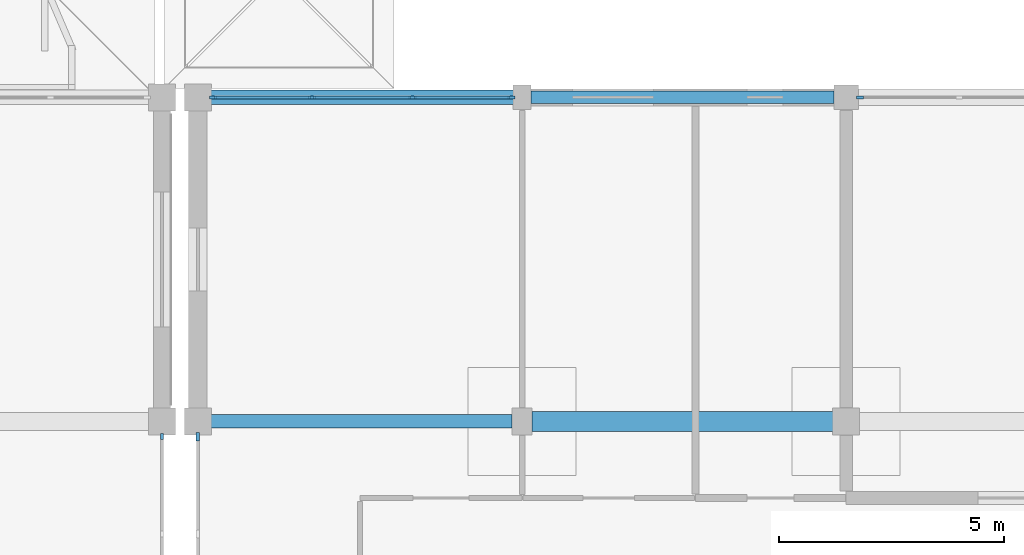
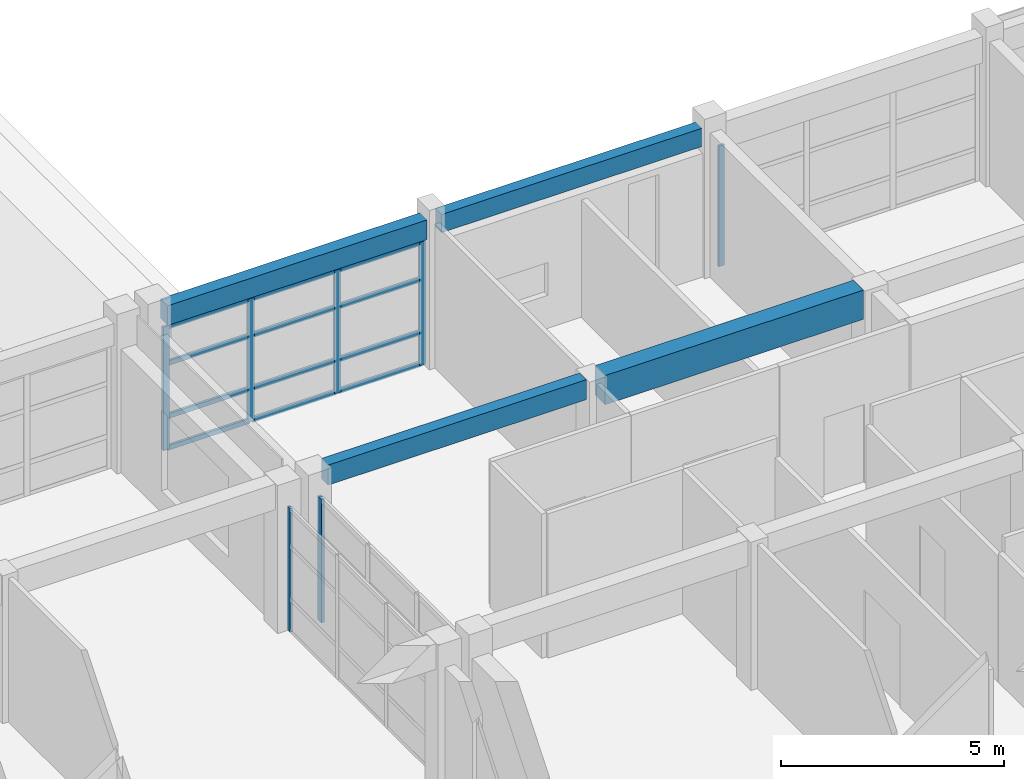
# One storey, part 21 of 110: 19 members, 4 beams, 4 elements without a shape of their own.
"""IFC4 building model written with IfcOpenShell, lengths in metres."""

from ifc_helpers import new_model, si_unit, direction, frame, origin, origin_2d, place, context, subcontext, project, spatial, rectangle, extrude, material, material_profile, profile_set, type_object, element, aggregate, save


model = new_model("IFC4")

# Units and contexts
model_context = context("Model", 3, precision=1e-05, world=origin(), true_north=direction((0.0, 1.0)))
body_context = subcontext(model_context, "Body", "Model", "MODEL_VIEW")
ifc_project = project(units=[si_unit("LENGTHUNIT", "METRE"), si_unit("AREAUNIT", "SQUARE_METRE"), si_unit("VOLUMEUNIT", "CUBIC_METRE"), si_unit("PLANEANGLEUNIT", "RADIAN"), si_unit("MASSUNIT", "GRAM", prefix="KILO")], contexts=[model_context])

# Site, building, storey
site_placement = place(None, origin())
site = spatial("IfcSite", under=ifc_project, at=site_placement, CompositionType="ELEMENT")
building_placement = place(site_placement, origin())
building = spatial("IfcBuilding", under=site, at=building_placement, Name="Steenspoor Specialist Clinic", CompositionType="ELEMENT")
storey_placement = place(building_placement, frame((0.0, 0.0, 4.800048828125)))
storey = spatial("IfcBuildingStorey", under=building, at=storey_placement, Name="L01", CompositionType="ELEMENT", Elevation=4.800048828125)

# Beams
ifc_material_1 = material(Name="Concrete C35/45", Category="concrete")
ifc_material_profile_1 = material_profile(ifc_material_1, rectangle(XDim=0.300048828125, YDim=0.550048828125, at=origin_2d()), Name="RC-BM-300X550")
ifc_profile_set_1 = profile_set([ifc_material_profile_1], Name="Concrete C35/45")
beam_type_1 = type_object("IfcBeamType", Name="BM-RC-300X550", PredefinedType="BEAM", material=ifc_profile_set_1)
beam_1_placement = place(storey_placement, frame((118.294921875, 34.64990234375, 3.760009765625), z_axis=(1.0, 0.0, 0.0), x_axis=(0.0, 1.0, 0.0)))
element("IfcBeam", 1, at=beam_1_placement, inside=storey, type_object=beam_type_1, Name="BM-V2-L01-X0258", PredefinedType="BEAM", context=body_context, shape_type="SweptSolid", body=[
    extrude(rectangle(XDim=0.300048828125, YDim=0.550048828125, at=origin_2d()), origin(), (0.0, 0.0, 1.0), 6.68505859375),
])
ifc_material_profile_2 = material_profile(ifc_material_1, rectangle(XDim=0.449951171875, YDim=0.800048828125, at=origin_2d()), Name="RC-BM-450X800")
ifc_profile_set_2 = profile_set([ifc_material_profile_2], Name="Concrete C35/45")
beam_type_2 = type_object("IfcBeamType", Name="BM-RC-450X800", PredefinedType="BEAM", material=ifc_profile_set_2)
beam_2_placement = place(storey_placement, frame((125.419921875, 34.64990234375, 3.635009765625), z_axis=(1.0, 0.0, 0.0), x_axis=(0.0, 1.0, 0.0)))
element("IfcBeam", 2, at=beam_2_placement, inside=storey, type_object=beam_type_2, Name="BM-V2-L01-X0259", PredefinedType="BEAM", context=body_context, shape_type="SweptSolid", body=[
    extrude(rectangle(XDim=0.449951171875, YDim=0.800048828125, at=origin_2d()), origin(), (0.0, 0.0, 1.0), 6.68505859375),
])

# Curtain wall, member
ifc_material_2 = material(Name="Thermally broken aluminium and low-emissivity glass", Category="aluminium")
curtain_wall_type_1 = type_object("IfcCurtainWallType", Name="CW-L00-660X415", PredefinedType="USERDEFINED", material=ifc_material_2)
curtain_wall_1_placement = place(storey_placement, origin())
curtain_wall_1 = element("IfcCurtainWall", 3, at=curtain_wall_1_placement, inside=storey, type_object=curtain_wall_type_1, Name="Unitised Curtain Wall CW-V1-L01-028", ObjectType="UNITISED GLAZING", PredefinedType="USERDEFINED")
ifc_material_3 = material(Name="Thermally broken aluminium 6063-T6", Category="aluminium")
ifc_material_profile_3 = material_profile(ifc_material_3, rectangle(XDim=0.06005859375, YDim=0.135009765625, at=origin_2d()), Name="CWM-60X135")
ifc_profile_set_3 = profile_set([ifc_material_profile_3], Name="Thermally broken aluminium 6063-T6")
member_type_1 = type_object("IfcMemberType", Name="CW-MULL-60X135", PredefinedType="MULLION", material=ifc_profile_set_3)
member_1_placement = place(storey_placement, frame((117.199951171875, 34.320068359375, 0.0), z_axis=(0.0, 0.0, 1.0), x_axis=(1.0, 0.0, 0.0)))
member_1 = element("IfcMember", 4, at=member_1_placement, type_object=member_type_1, Name="CW-04 mullion 1", PredefinedType="MULLION", context=body_context, shape_type="SweptSolid", body=[
    extrude(rectangle(XDim=0.06005859375, YDim=0.135009765625, at=origin_2d()), origin(), (0.0, 0.0, 1.0), 3.3798828125),
])
aggregate(curtain_wall_1, [member_1])

curtain_wall_type_2 = type_object("IfcCurtainWallType", Name="CW-TYP-660X355", PredefinedType="USERDEFINED", material=ifc_material_2)
curtain_wall_2_placement = place(storey_placement, origin())
curtain_wall_2 = element("IfcCurtainWall", 5, at=curtain_wall_2_placement, inside=storey, type_object=curtain_wall_type_2, Name="Unitised Curtain Wall CW-V2-L01-033", ObjectType="UNITISED GLAZING", PredefinedType="USERDEFINED")
ifc_material_profile_4 = material_profile(ifc_material_3, rectangle(XDim=0.06494140625, YDim=0.14990234375, at=origin_2d()), Name="CWM-65X150")
ifc_profile_set_4 = profile_set([ifc_material_profile_4], Name="Thermally broken aluminium 6063-T6")
member_type_2 = type_object("IfcMemberType", Name="CW-MULL-65X150", PredefinedType="MULLION", material=ifc_profile_set_4)
member_2_placement = place(storey_placement, frame((132.70751953125, 41.85009765625, 0.0), z_axis=(0.0, 0.0, 1.0), x_axis=(0.0, 1.0, 0.0)))
member_2 = element("IfcMember", 6, at=member_2_placement, type_object=member_type_2, Name="CW-09 mullion 1", PredefinedType="MULLION", context=body_context, shape_type="SweptSolid", body=[
    extrude(rectangle(XDim=0.06494140625, YDim=0.14990234375, at=origin_2d()), origin(), (0.0, 0.0, 1.0), 3.300048828125),
])
aggregate(curtain_wall_2, [member_2])

# Curtain wall, members
curtain_wall_type_3 = type_object("IfcCurtainWallType", Name="CW-L00-240X415", PredefinedType="USERDEFINED", material=ifc_material_2)
curtain_wall_3_placement = place(storey_placement, origin())
curtain_wall_3 = element("IfcCurtainWall", 7, at=curtain_wall_3_placement, inside=storey, type_object=curtain_wall_type_3, Name="Unitised Curtain Wall CW-V2-L01-032", ObjectType="UNITISED GLAZING", PredefinedType="USERDEFINED")
ifc_material_profile_5 = material_profile(ifc_material_3, rectangle(XDim=0.070068359375, YDim=0.1650390625, at=origin_2d()), Name="CWM-70X165")
ifc_profile_set_5 = profile_set([ifc_material_profile_5], Name="Thermally broken aluminium 6063-T6")
member_type_3 = type_object("IfcMemberType", Name="CW-MULL-70X165", PredefinedType="MULLION", material=ifc_profile_set_5)
member_3_placement = place(storey_placement, frame((118.3349609375, 41.85009765625, 0.0), z_axis=(0.0, 0.0, 1.0), x_axis=(0.0, 1.0, 0.0)))
member_3 = element("IfcMember", 8, at=member_3_placement, type_object=member_type_3, Name="CW-08 mullion 1", PredefinedType="MULLION", context=body_context, shape_type="SweptSolid", body=[
    extrude(rectangle(XDim=0.070068359375, YDim=0.1650390625, at=origin_2d()), origin(), (0.0, 0.0, 1.0), 3.3798828125),
])
member_4_placement = place(storey_placement, frame((120.533447265625, 41.85009765625, 0.0), z_axis=(0.0, 0.0, 1.0), x_axis=(0.0, 1.0, 0.0)))
member_4 = element("IfcMember", 9, at=member_4_placement, type_object=member_type_3, Name="CW-08 mullion 2", PredefinedType="MULLION", context=body_context, shape_type="SweptSolid", body=[
    extrude(rectangle(XDim=0.070068359375, YDim=0.1650390625, at=origin_2d()), origin(), (0.0, 0.0, 1.0), 3.3798828125),
])
member_5_placement = place(storey_placement, frame((122.7666015625, 41.85009765625, 0.0), z_axis=(0.0, 0.0, 1.0), x_axis=(0.0, 1.0, 0.0)))
member_5 = element("IfcMember", 10, at=member_5_placement, type_object=member_type_3, Name="CW-08 mullion 3", PredefinedType="MULLION", context=body_context, shape_type="SweptSolid", body=[
    extrude(rectangle(XDim=0.070068359375, YDim=0.1650390625, at=origin_2d()), origin(), (0.0, 0.0, 1.0), 3.3798828125),
])
member_6_placement = place(storey_placement, frame((124.965087890625, 41.85009765625, 0.0), z_axis=(0.0, 0.0, 1.0), x_axis=(0.0, 1.0, 0.0)))
member_6 = element("IfcMember", 11, at=member_6_placement, type_object=member_type_3, Name="CW-08 mullion 4", PredefinedType="MULLION", context=body_context, shape_type="SweptSolid", body=[
    extrude(rectangle(XDim=0.070068359375, YDim=0.1650390625, at=origin_2d()), origin(), (0.0, 0.0, 1.0), 3.3798828125),
])

# Curtain wall, member
curtain_wall_type_4 = type_object("IfcCurtainWallType", Name="CW-L00-360X415", PredefinedType="USERDEFINED", material=ifc_material_2)
curtain_wall_4_placement = place(storey_placement, origin())
curtain_wall_4 = element("IfcCurtainWall", 12, at=curtain_wall_4_placement, inside=storey, type_object=curtain_wall_type_4, Name="Unitised Curtain Wall CW-V2-L01-031", ObjectType="UNITISED GLAZING", PredefinedType="USERDEFINED")
ifc_material_profile_6 = material_profile(ifc_material_3, rectangle(XDim=0.080078125, YDim=0.179931640625, at=origin_2d()), Name="CWM-80X180")
ifc_profile_set_6 = profile_set([ifc_material_profile_6], Name="Thermally broken aluminium 6063-T6")
member_type_4 = type_object("IfcMemberType", Name="CW-MULL-80X180", PredefinedType="MULLION", material=ifc_profile_set_6)
member_7_placement = place(storey_placement, frame((118.0, 34.31005859375, 0.0), z_axis=(0.0, 0.0, 1.0), x_axis=(-1.0, 0.0, 0.0)))
member_7 = element("IfcMember", 13, at=member_7_placement, type_object=member_type_4, Name="CW-07 mullion 4", PredefinedType="MULLION", context=body_context, shape_type="SweptSolid", body=[
    extrude(rectangle(XDim=0.080078125, YDim=0.179931640625, at=origin_2d()), origin(), (0.0, 0.0, 1.0), 3.3798828125),
])
aggregate(curtain_wall_4, [member_7])

# Member
ifc_material_profile_7 = material_profile(ifc_material_3, rectangle(XDim=0.06494140625, YDim=0.1298828125, at=origin_2d()), Name="CWT-65X130")
ifc_profile_set_7 = profile_set([ifc_material_profile_7], Name="Thermally broken aluminium 6063-T6")
member_type_5 = type_object("IfcMemberType", Name="CW-TRAN-65X130", PredefinedType="USERDEFINED", material=ifc_profile_set_7)
member_8_placement = place(storey_placement, frame((118.3701171875, 41.85009765625, 0.032470703125), z_axis=(1.0, 0.0, 0.0), x_axis=(0.0, 1.0, 0.0)))
member_8 = element("IfcMember", 14, at=member_8_placement, type_object=member_type_5, Name="CW-08 transom 1.1", ObjectType="TRANSOM", PredefinedType="USERDEFINED", context=body_context, shape_type="SweptSolid", body=[
    extrude(rectangle(XDim=0.06494140625, YDim=0.1298828125, at=origin_2d()), origin(), (0.0, 0.0, 1.0), 2.128173828125),
])

member_9_placement = place(storey_placement, frame((118.3701171875, 41.85009765625, 0.89990234375), z_axis=(1.0, 0.0, 0.0), x_axis=(0.0, 1.0, 0.0)))
member_9 = element("IfcMember", 15, at=member_9_placement, type_object=member_type_5, Name="CW-08 transom 1.2", ObjectType="TRANSOM", PredefinedType="USERDEFINED", context=body_context, shape_type="SweptSolid", body=[
    extrude(rectangle(XDim=0.06494140625, YDim=0.1298828125, at=origin_2d()), origin(), (0.0, 0.0, 1.0), 2.128173828125),
])

member_10_placement = place(storey_placement, frame((118.3701171875, 41.85009765625, 2.349853515625), z_axis=(1.0, 0.0, 0.0), x_axis=(0.0, 1.0, 0.0)))
member_10 = element("IfcMember", 16, at=member_10_placement, type_object=member_type_5, Name="CW-08 transom 1.3", ObjectType="TRANSOM", PredefinedType="USERDEFINED", context=body_context, shape_type="SweptSolid", body=[
    extrude(rectangle(XDim=0.06494140625, YDim=0.1298828125, at=origin_2d()), origin(), (0.0, 0.0, 1.0), 2.128173828125),
])

member_11_placement = place(storey_placement, frame((118.3701171875, 41.85009765625, 3.347412109375), z_axis=(1.0, 0.0, 0.0), x_axis=(0.0, 1.0, 0.0)))
member_11 = element("IfcMember", 17, at=member_11_placement, type_object=member_type_5, Name="CW-08 transom 1.4", ObjectType="TRANSOM", PredefinedType="USERDEFINED", context=body_context, shape_type="SweptSolid", body=[
    extrude(rectangle(XDim=0.06494140625, YDim=0.1298828125, at=origin_2d()), origin(), (0.0, 0.0, 1.0), 2.128173828125),
])

member_12_placement = place(storey_placement, frame((120.568359375, 41.85009765625, 0.032470703125), z_axis=(1.0, 0.0, 0.0), x_axis=(0.0, 1.0, 0.0)))
member_12 = element("IfcMember", 18, at=member_12_placement, type_object=member_type_5, Name="CW-08 transom 2.1", ObjectType="TRANSOM", PredefinedType="USERDEFINED", context=body_context, shape_type="SweptSolid", body=[
    extrude(rectangle(XDim=0.06494140625, YDim=0.1298828125, at=origin_2d()), origin(), (0.0, 0.0, 1.0), 2.163330078125),
])

member_13_placement = place(storey_placement, frame((120.568359375, 41.85009765625, 0.89990234375), z_axis=(1.0, 0.0, 0.0), x_axis=(0.0, 1.0, 0.0)))
member_13 = element("IfcMember", 19, at=member_13_placement, type_object=member_type_5, Name="CW-08 transom 2.2", ObjectType="TRANSOM", PredefinedType="USERDEFINED", context=body_context, shape_type="SweptSolid", body=[
    extrude(rectangle(XDim=0.06494140625, YDim=0.1298828125, at=origin_2d()), origin(), (0.0, 0.0, 1.0), 2.163330078125),
])

member_14_placement = place(storey_placement, frame((120.568359375, 41.85009765625, 2.349853515625), z_axis=(1.0, 0.0, 0.0), x_axis=(0.0, 1.0, 0.0)))
member_14 = element("IfcMember", 20, at=member_14_placement, type_object=member_type_5, Name="CW-08 transom 2.3", ObjectType="TRANSOM", PredefinedType="USERDEFINED", context=body_context, shape_type="SweptSolid", body=[
    extrude(rectangle(XDim=0.06494140625, YDim=0.1298828125, at=origin_2d()), origin(), (0.0, 0.0, 1.0), 2.163330078125),
])

member_15_placement = place(storey_placement, frame((120.568359375, 41.85009765625, 3.347412109375), z_axis=(1.0, 0.0, 0.0), x_axis=(0.0, 1.0, 0.0)))
member_15 = element("IfcMember", 21, at=member_15_placement, type_object=member_type_5, Name="CW-08 transom 2.4", ObjectType="TRANSOM", PredefinedType="USERDEFINED", context=body_context, shape_type="SweptSolid", body=[
    extrude(rectangle(XDim=0.06494140625, YDim=0.1298828125, at=origin_2d()), origin(), (0.0, 0.0, 1.0), 2.163330078125),
])

member_16_placement = place(storey_placement, frame((122.8017578125, 41.85009765625, 0.032470703125), z_axis=(1.0, 0.0, 0.0), x_axis=(0.0, 1.0, 0.0)))
member_16 = element("IfcMember", 22, at=member_16_placement, type_object=member_type_5, Name="CW-08 transom 3.1", ObjectType="TRANSOM", PredefinedType="USERDEFINED", context=body_context, shape_type="SweptSolid", body=[
    extrude(rectangle(XDim=0.06494140625, YDim=0.1298828125, at=origin_2d()), origin(), (0.0, 0.0, 1.0), 2.128173828125),
])

member_17_placement = place(storey_placement, frame((122.8017578125, 41.85009765625, 0.89990234375), z_axis=(1.0, 0.0, 0.0), x_axis=(0.0, 1.0, 0.0)))
member_17 = element("IfcMember", 23, at=member_17_placement, type_object=member_type_5, Name="CW-08 transom 3.2", ObjectType="TRANSOM", PredefinedType="USERDEFINED", context=body_context, shape_type="SweptSolid", body=[
    extrude(rectangle(XDim=0.06494140625, YDim=0.1298828125, at=origin_2d()), origin(), (0.0, 0.0, 1.0), 2.128173828125),
])

member_18_placement = place(storey_placement, frame((122.8017578125, 41.85009765625, 2.349853515625), z_axis=(1.0, 0.0, 0.0), x_axis=(0.0, 1.0, 0.0)))
member_18 = element("IfcMember", 24, at=member_18_placement, type_object=member_type_5, Name="CW-08 transom 3.3", ObjectType="TRANSOM", PredefinedType="USERDEFINED", context=body_context, shape_type="SweptSolid", body=[
    extrude(rectangle(XDim=0.06494140625, YDim=0.1298828125, at=origin_2d()), origin(), (0.0, 0.0, 1.0), 2.128173828125),
])

member_19_placement = place(storey_placement, frame((122.8017578125, 41.85009765625, 3.347412109375), z_axis=(1.0, 0.0, 0.0), x_axis=(0.0, 1.0, 0.0)))
member_19 = element("IfcMember", 25, at=member_19_placement, type_object=member_type_5, Name="CW-08 transom 3.4", ObjectType="TRANSOM", PredefinedType="USERDEFINED", context=body_context, shape_type="SweptSolid", body=[
    extrude(rectangle(XDim=0.06494140625, YDim=0.1298828125, at=origin_2d()), origin(), (0.0, 0.0, 1.0), 2.128173828125),
])

aggregate(curtain_wall_3, [member_3, member_4, member_5, member_6, member_8, member_9, member_10, member_11, member_12, member_13, member_14, member_15, member_16, member_17, member_18, member_19])

# Beams
ifc_material_profile_8 = material_profile(ifc_material_1, rectangle(XDim=0.280029296875, YDim=0.5, at=origin_2d()), Name="RC-SP-280X500")
ifc_profile_set_8 = profile_set([ifc_material_profile_8], Name="Concrete C35/45")
beam_type_3 = type_object("IfcBeamType", Name="SP-RC-280X500", PredefinedType="SPANDREL", material=ifc_profile_set_8)
beam_3_placement = place(storey_placement, frame((125.39501953125, 41.85009765625, 3.784912109375), z_axis=(1.0, 0.0, 0.0), x_axis=(0.0, 1.0, 0.0)))
element("IfcBeam", 26, at=beam_3_placement, inside=storey, type_object=beam_type_3, Name="BM-V2-L01-X0265", PredefinedType="SPANDREL", context=body_context, shape_type="SweptSolid", body=[
    extrude(rectangle(XDim=0.280029296875, YDim=0.5, at=origin_2d()), origin(), (0.0, 0.0, 1.0), 6.73486328125),
])
ifc_material_profile_9 = material_profile(ifc_material_1, rectangle(XDim=0.320068359375, YDim=0.5400390625, at=origin_2d()), Name="RC-SP-320X540")
ifc_profile_set_9 = profile_set([ifc_material_profile_9], Name="Concrete C35/45")
beam_type_4 = type_object("IfcBeamType", Name="SP-RC-320X540", PredefinedType="SPANDREL", material=ifc_profile_set_9)
beam_4_placement = place(storey_placement, frame((118.294921875, 41.85009765625, 3.764892578125), z_axis=(1.0, 0.0, 0.0), x_axis=(0.0, 1.0, 0.0)))
element("IfcBeam", 27, at=beam_4_placement, inside=storey, type_object=beam_type_4, Name="BM-V2-L01-X0264", PredefinedType="SPANDREL", context=body_context, shape_type="SweptSolid", body=[
    extrude(rectangle(XDim=0.320068359375, YDim=0.5400390625, at=origin_2d()), origin(), (0.0, 0.0, 1.0), 6.7099609375),
])

save(model, "model.ifc")
